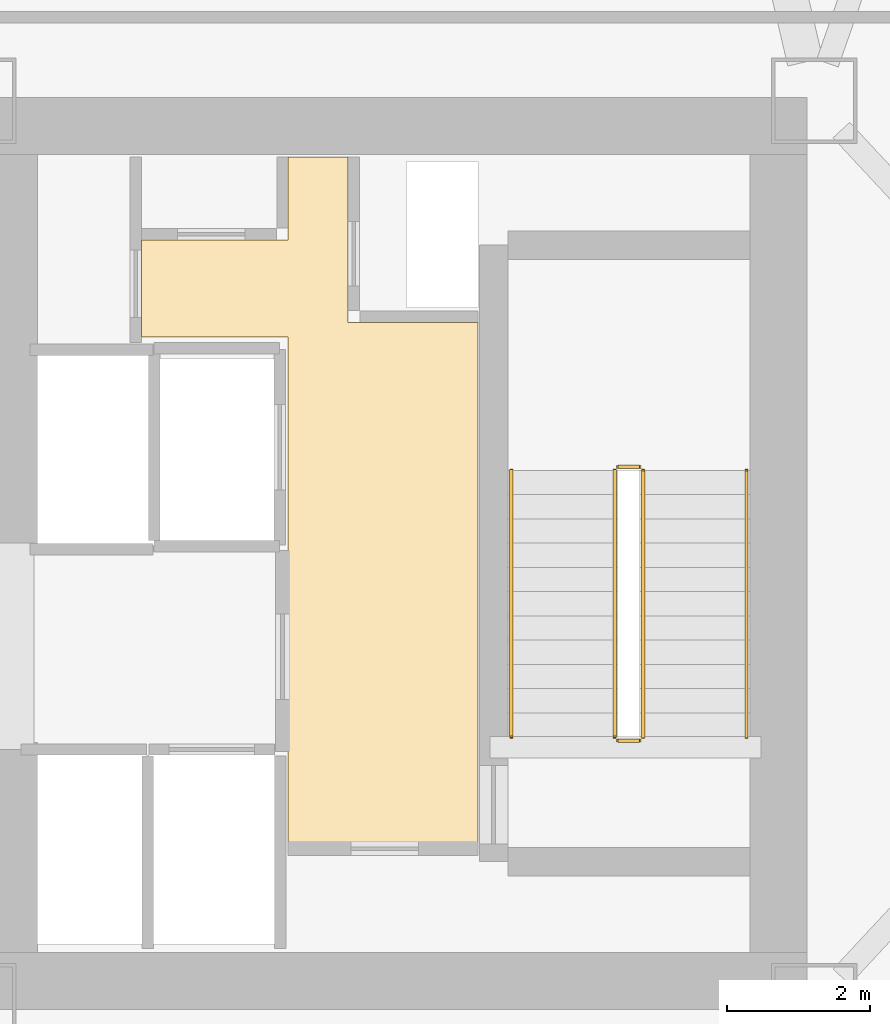
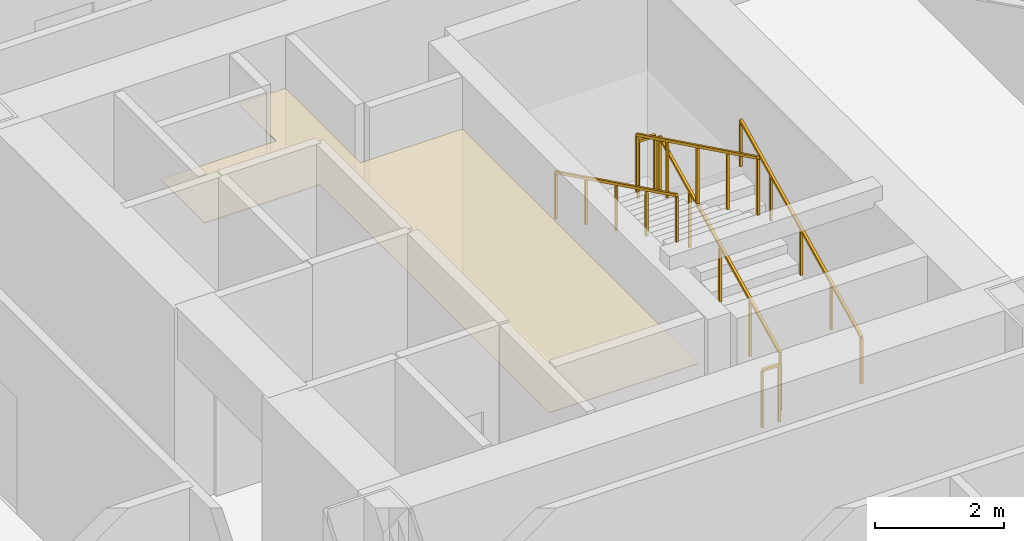
# One storey, part 21 of 21: 6 railings, 1 covering.
"""IFC4 building model written with IfcOpenShell, lengths in metres."""

from ifc_helpers import new_model, si_unit, direction, frame, origin, origin_2d, place, context, subcontext, project, spatial, polyline, rectangle, outline, extrude, material, layer, layer_set, type_object, element, save


model = new_model("IFC4")

# Units and contexts
model_context = context("Model", 3, precision=1e-05, world=origin(), true_north=direction((0.0, 1.0)))
body_context = subcontext(model_context, "Body", "Model", "MODEL_VIEW")
ifc_project = project(units=[si_unit("LENGTHUNIT", "METRE"), si_unit("AREAUNIT", "SQUARE_METRE"), si_unit("VOLUMEUNIT", "CUBIC_METRE"), si_unit("PLANEANGLEUNIT", "RADIAN"), si_unit("MASSUNIT", "GRAM", prefix="KILO")], contexts=[model_context])

# Site, building, storey
site_placement = place(None, origin())
site = spatial("IfcSite", under=ifc_project, at=site_placement, CompositionType="ELEMENT")
building_placement = place(site_placement, origin())
building = spatial("IfcBuilding", under=site, at=building_placement, Name="Tavrogorsk Clinical Tower", CompositionType="ELEMENT")
storey_placement = place(building_placement, frame((0.0, 0.0, 59.39990234375)))
storey = spatial("IfcBuildingStorey", under=building, at=storey_placement, Name="L12", CompositionType="ELEMENT", Elevation=59.39990234375)

# Covering
ifc_material_1 = material(Name="Antibacterial micro-perforated aluminium ceiling", Category="aluminium")
ifc_layer_1 = layer(ifc_material_1, 0.014892578125)
ifc_layer_set_1 = layer_set([ifc_layer_1], Name="Antibacterial micro-perforated aluminium ceiling")
covering_type = type_object("IfcCoveringType", Name="ClinicalCeiling_15", PredefinedType="CEILING", material=ifc_layer_set_1)
covering_placement = place(storey_placement, frame((0.0, 0.0, 2.75)))
element("IfcCovering", 1, at=covering_placement, inside=storey, type_object=covering_type, Name="Core East Firefighting Lift Lobby Acoustic Ceiling", PredefinedType="CEILING", context=body_context, shape_type="SweptSolid", body=[
    extrude(outline(polyline([(14.719970703125, 3.0400390625), (12.659912109375, 3.0400390625), (12.659912109375, 4.39990234375), (14.719970703125, 4.39990234375), (14.719970703125, 5.56005859375), (15.56005859375, 5.56005859375), (15.56005859375, 3.239990234375), (17.3798828125, 3.239990234375), (17.3798828125, -4.06005859375), (14.719970703125, -4.06005859375), (14.719970703125, 3.0400390625)])), origin(), (0.0, 0.0, 1.0), 0.01513671875),
])

# Railings
ifc_material_2 = material(Name="Galvanised steel S355 safety stairwell guard", Category="steel")
ifc_layer_2 = layer(ifc_material_2, 0.06005859375)
ifc_layer_set_2 = layer_set([ifc_layer_2], Name="Galvanised steel S355 safety stairwell guard")
railing_type_1 = type_object("IfcRailingType", Name="StairGuard_1150", PredefinedType="GUARDRAIL", material=ifc_layer_set_2)
railing_1_placement = place(storey_placement, frame((19.699951171875, -2.574951171875, 0.166748046875)))
element("IfcRailing", 2, at=railing_1_placement, inside=storey, type_object=railing_type_1, Name="L12 ST-E stair guard 1", PredefinedType="GUARDRAIL", context=body_context, shape_type="SweptSolid", body=[
    extrude(rectangle(XDim=0.048095703125, YDim=0.048095703125, at=origin_2d()), frame((0.0, 0.0, 1.076171875), z_axis=(0.0, 0.897927990467, 0.440142390523), x_axis=(-1.0, 0.0, 0.0)), (0.0, 0.0, 1.0), 4.1650390625),
    extrude(rectangle(XDim=0.0419921875, YDim=0.0419921875, at=origin_2d()), origin(), (0.0, 0.0, 1.0), 1.052001953125),
    extrude(rectangle(XDim=0.0419921875, YDim=0.0419921875, at=origin_2d()), frame((0.0, 0.93505859375, 0.458251953125)), (0.0, 0.0, 1.0), 1.052001953125),
    extrude(rectangle(XDim=0.0419921875, YDim=0.0419921875, at=origin_2d()), frame((0.0, 1.8701171875, 0.91650390625)), (0.0, 0.0, 1.0), 1.052001953125),
    extrude(rectangle(XDim=0.0419921875, YDim=0.0419921875, at=origin_2d()), frame((0.0, 2.804931640625, 1.375)), (0.0, 0.0, 1.0), 1.052001953125),
    extrude(rectangle(XDim=0.0419921875, YDim=0.0419921875, at=origin_2d()), frame((0.0, 3.739990234375, 1.833251953125)), (0.0, 0.0, 1.0), 1.052001953125),
])
railing_2_placement = place(storey_placement, frame((19.64990234375, 1.215087890625, 2.0)))
element("IfcRailing", 3, at=railing_2_placement, inside=storey, type_object=railing_type_1, Name="L12 ST-E stair guard 2", PredefinedType="GUARDRAIL", context=body_context, shape_type="SweptSolid", body=[
    extrude(rectangle(XDim=0.048095703125, YDim=0.048095703125, at=origin_2d()), frame((0.0, 0.0, 1.076171875), z_axis=(-1.0, 0.0, 0.0), x_axis=(0.0, -1.0, 0.0)), (0.0, 0.0, 1.0), 0.2998046875),
    extrude(rectangle(XDim=0.0419921875, YDim=0.0419921875, at=origin_2d()), origin(), (0.0, 0.0, 1.0), 1.052001953125),
    extrude(rectangle(XDim=0.0419921875, YDim=0.0419921875, at=origin_2d()), frame((-0.2998046875, 0.0, 0.0)), (0.0, 0.0, 1.0), 1.052001953125),
])
railing_3_placement = place(storey_placement, frame((19.300048828125, 1.1650390625, 2.166748046875)))
element("IfcRailing", 4, at=railing_3_placement, inside=storey, type_object=railing_type_1, Name="L12 ST-E stair guard 3", PredefinedType="GUARDRAIL", context=body_context, shape_type="SweptSolid", body=[
    extrude(rectangle(XDim=0.048095703125, YDim=0.048095703125, at=origin_2d()), frame((0.0, 0.0, 1.076171875), z_axis=(0.0, -0.897927990467, 0.440142390523), x_axis=(1.0, 0.0, 0.0)), (0.0, 0.0, 1.0), 4.1650390625),
    extrude(rectangle(XDim=0.0419921875, YDim=0.0419921875, at=origin_2d()), origin(), (0.0, 0.0, 1.0), 1.052001953125),
    extrude(rectangle(XDim=0.0419921875, YDim=0.0419921875, at=origin_2d()), frame((0.0, -0.93505859375, 0.458251953125)), (0.0, 0.0, 1.0), 1.052001953125),
    extrude(rectangle(XDim=0.0419921875, YDim=0.0419921875, at=origin_2d()), frame((0.0, -1.8701171875, 0.91650390625)), (0.0, 0.0, 1.0), 1.052001953125),
    extrude(rectangle(XDim=0.0419921875, YDim=0.0419921875, at=origin_2d()), frame((0.0, -2.804931640625, 1.375)), (0.0, 0.0, 1.0), 1.052001953125),
    extrude(rectangle(XDim=0.0419921875, YDim=0.0419921875, at=origin_2d()), frame((0.0, -3.739990234375, 1.833251953125)), (0.0, 0.0, 1.0), 1.052001953125),
])
railing_4_placement = place(storey_placement, frame((19.64990234375, -2.625, 0.0)))
element("IfcRailing", 5, at=railing_4_placement, inside=storey, type_object=railing_type_1, Name="L12 ST-E stair guard 4", PredefinedType="GUARDRAIL", context=body_context, shape_type="SweptSolid", body=[
    extrude(rectangle(XDim=0.048095703125, YDim=0.048095703125, at=origin_2d()), frame((0.0, 0.0, 1.076171875), z_axis=(-1.0, 0.0, 0.0), x_axis=(0.0, -1.0, 0.0)), (0.0, 0.0, 1.0), 0.2998046875),
    extrude(rectangle(XDim=0.0419921875, YDim=0.0419921875, at=origin_2d()), origin(), (0.0, 0.0, 1.0), 1.052001953125),
    extrude(rectangle(XDim=0.0419921875, YDim=0.0419921875, at=origin_2d()), frame((-0.2998046875, 0.0, 0.0)), (0.0, 0.0, 1.0), 1.052001953125),
])
ifc_material_3 = material(Name="Stainless steel AISI 304 tubular handrail", Category="steel")
ifc_layer_3 = layer(ifc_material_3, 0.050048828125)
ifc_layer_set_3 = layer_set([ifc_layer_3], Name="Stainless steel AISI 304 tubular handrail")
railing_type_2 = type_object("IfcRailingType", Name="StairHandrail_920", PredefinedType="HANDRAIL", material=ifc_layer_set_3)
railing_5_placement = place(storey_placement, frame((21.14990234375, -2.574951171875, 0.166748046875)))
element("IfcRailing", 6, at=railing_5_placement, inside=storey, type_object=railing_type_2, Name="L12 ST-E stair handrail 1", PredefinedType="HANDRAIL", context=body_context, shape_type="SweptSolid", body=[
    extrude(rectangle(XDim=0.048095703125, YDim=0.048095703125, at=origin_2d()), frame((0.0, 0.0, 0.8759765625), z_axis=(0.0, 0.897927990467, 0.440142390523), x_axis=(-1.0, 0.0, 0.0)), (0.0, 0.0, 1.0), 4.1650390625),
    extrude(rectangle(XDim=0.0419921875, YDim=0.0419921875, at=origin_2d()), origin(), (0.0, 0.0, 1.0), 0.851806640625),
    extrude(rectangle(XDim=0.0419921875, YDim=0.0419921875, at=origin_2d()), frame((0.0, 0.93505859375, 0.458251953125)), (0.0, 0.0, 1.0), 0.851806640625),
    extrude(rectangle(XDim=0.0419921875, YDim=0.0419921875, at=origin_2d()), frame((0.0, 1.8701171875, 0.91650390625)), (0.0, 0.0, 1.0), 0.851806640625),
    extrude(rectangle(XDim=0.0419921875, YDim=0.0419921875, at=origin_2d()), frame((0.0, 2.804931640625, 1.375)), (0.0, 0.0, 1.0), 0.851806640625),
    extrude(rectangle(XDim=0.0419921875, YDim=0.0419921875, at=origin_2d()), frame((0.0, 3.739990234375, 1.833251953125)), (0.0, 0.0, 1.0), 0.851806640625),
])
railing_6_placement = place(storey_placement, frame((17.85009765625, 1.1650390625, 2.166748046875)))
element("IfcRailing", 7, at=railing_6_placement, inside=storey, type_object=railing_type_2, Name="L12 ST-E stair handrail 2", PredefinedType="HANDRAIL", context=body_context, shape_type="SweptSolid", body=[
    extrude(rectangle(XDim=0.048095703125, YDim=0.048095703125, at=origin_2d()), frame((0.0, 0.0, 0.8759765625), z_axis=(0.0, -0.897927990467, 0.440142390523), x_axis=(1.0, 0.0, 0.0)), (0.0, 0.0, 1.0), 4.1650390625),
    extrude(rectangle(XDim=0.0419921875, YDim=0.0419921875, at=origin_2d()), origin(), (0.0, 0.0, 1.0), 0.851806640625),
    extrude(rectangle(XDim=0.0419921875, YDim=0.0419921875, at=origin_2d()), frame((0.0, -0.93505859375, 0.458251953125)), (0.0, 0.0, 1.0), 0.851806640625),
    extrude(rectangle(XDim=0.0419921875, YDim=0.0419921875, at=origin_2d()), frame((0.0, -1.8701171875, 0.91650390625)), (0.0, 0.0, 1.0), 0.851806640625),
    extrude(rectangle(XDim=0.0419921875, YDim=0.0419921875, at=origin_2d()), frame((0.0, -2.804931640625, 1.375)), (0.0, 0.0, 1.0), 0.851806640625),
    extrude(rectangle(XDim=0.0419921875, YDim=0.0419921875, at=origin_2d()), frame((0.0, -3.739990234375, 1.833251953125)), (0.0, 0.0, 1.0), 0.851806640625),
])

save(model, "model.ifc")
